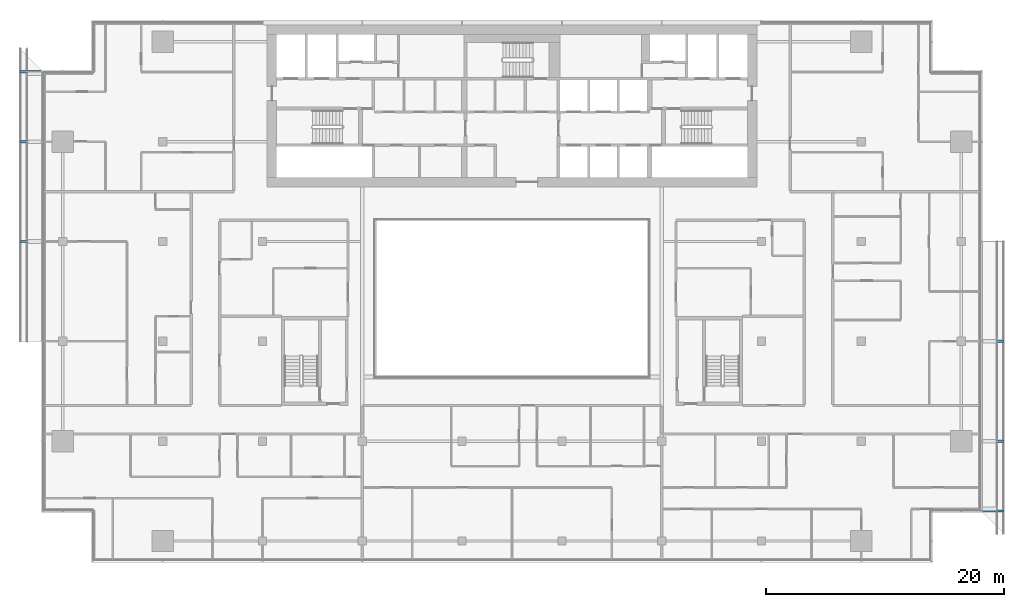
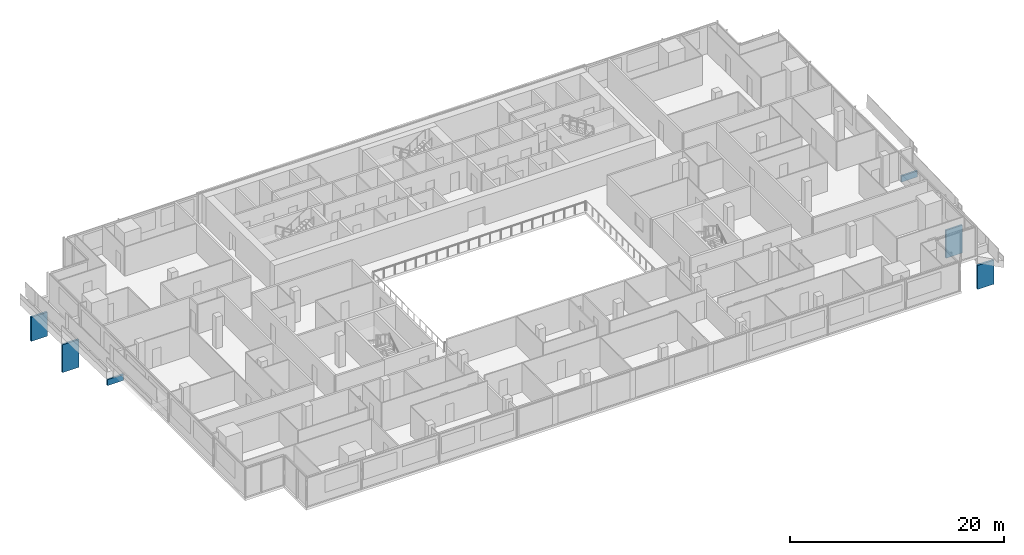
# One storey, part 24 of 27: 6 discrete accessories.
"""IFC4 building model written with IfcOpenShell, lengths in metres."""

from ifc_helpers import new_model, si_unit, direction, frame, origin, origin_2d, place, context, subcontext, project, spatial, rectangle, extrude, element, save


model = new_model("IFC4")

# Units and contexts
model_context = context("Model", 3, precision=1e-05, world=origin(), true_north=direction((0.0, 1.0)))
body_context = subcontext(model_context, "Body", "Model", "MODEL_VIEW")
ifc_project = project(units=[si_unit("LENGTHUNIT", "METRE"), si_unit("AREAUNIT", "SQUARE_METRE"), si_unit("VOLUMEUNIT", "CUBIC_METRE"), si_unit("PLANEANGLEUNIT", "RADIAN"), si_unit("MASSUNIT", "GRAM", prefix="KILO")], contexts=[model_context])

# Site, building, storey
site_placement = place(None, origin())
site = spatial("IfcSite", under=ifc_project, at=site_placement, CompositionType="ELEMENT")
building_placement = place(site_placement, origin())
building = spatial("IfcBuilding", under=site, at=building_placement, Name="Saffron Gate Tower", CompositionType="ELEMENT")
storey_placement = place(building_placement, frame((0.0, 0.0, 183.449951171875)))
storey = spatial("IfcBuildingStorey", under=building, at=storey_placement, Name="L45", CompositionType="ELEMENT", Elevation=183.449951171875)

# Discrete accessories
discrete_accessory_1_placement = place(storey_placement, frame((47.125, 71.280029296875, -3.8798828125), z_axis=(0.0, 0.0, 1.0), x_axis=(0.0, -1.0, 0.0)))
element("IfcDiscreteAccessory", 1, at=discrete_accessory_1_placement, inside=storey, Name="LEDGE rib", PredefinedType="BRACKET", context=body_context, shape_type="SweptSolid", body=[
    extrude(rectangle(XDim=0.199951171875, YDim=1.75, at=origin_2d()), origin(), (0.0, 0.0, 1.0), 2.7509765625),
])
discrete_accessory_2_placement = place(storey_placement, frame((47.125, 65.39990234375, -3.880126953125), z_axis=(0.0, 0.0, 1.0), x_axis=(0.0, -1.0, 0.0)))
element("IfcDiscreteAccessory", 2, at=discrete_accessory_2_placement, inside=storey, Name="LEDGE rib", PredefinedType="BRACKET", context=body_context, shape_type="SweptSolid", body=[
    extrude(rectangle(XDim=0.199951171875, YDim=1.75, at=origin_2d()), origin(), (0.0, 0.0, 1.0), 3.18115234375),
])
discrete_accessory_3_placement = place(storey_placement, frame((47.125, 57.0, -0.27978515625), z_axis=(0.0, 0.0, 1.0), x_axis=(0.0, -1.0, 0.0)))
element("IfcDiscreteAccessory", 3, at=discrete_accessory_3_placement, inside=storey, Name="LEDGE rib", PredefinedType="BRACKET", context=body_context, shape_type="SweptSolid", body=[
    extrude(rectangle(XDim=0.199951171875, YDim=1.75, at=origin_2d()), origin(), (0.0, 0.0, 1.0), 0.680419921875),
])
discrete_accessory_4_placement = place(storey_placement, frame((128.074951171875, 34.320068359375, -3.8798828125), z_axis=(0.0, 0.0, 1.0), x_axis=(0.0, 1.0, 0.0)))
element("IfcDiscreteAccessory", 4, at=discrete_accessory_4_placement, inside=storey, Name="LEDGE rib", PredefinedType="BRACKET", context=body_context, shape_type="SweptSolid", body=[
    extrude(rectangle(XDim=0.199951171875, YDim=1.75, at=origin_2d()), origin(), (0.0, 0.0, 1.0), 2.7509765625),
])
discrete_accessory_5_placement = place(storey_placement, frame((128.074951171875, 40.199951171875, -3.880126953125), z_axis=(0.0, 0.0, 1.0), x_axis=(0.0, 1.0, 0.0)))
element("IfcDiscreteAccessory", 5, at=discrete_accessory_5_placement, inside=storey, Name="LEDGE rib", PredefinedType="BRACKET", context=body_context, shape_type="SweptSolid", body=[
    extrude(rectangle(XDim=0.199951171875, YDim=1.75, at=origin_2d()), origin(), (0.0, 0.0, 1.0), 3.18115234375),
])
discrete_accessory_6_placement = place(storey_placement, frame((128.074951171875, 48.60009765625, -0.27978515625), z_axis=(0.0, 0.0, 1.0), x_axis=(0.0, 1.0, 0.0)))
element("IfcDiscreteAccessory", 6, at=discrete_accessory_6_placement, inside=storey, Name="LEDGE rib", PredefinedType="BRACKET", context=body_context, shape_type="SweptSolid", body=[
    extrude(rectangle(XDim=0.199951171875, YDim=1.75, at=origin_2d()), origin(), (0.0, 0.0, 1.0), 0.680419921875),
])

save(model, "model.ifc")
